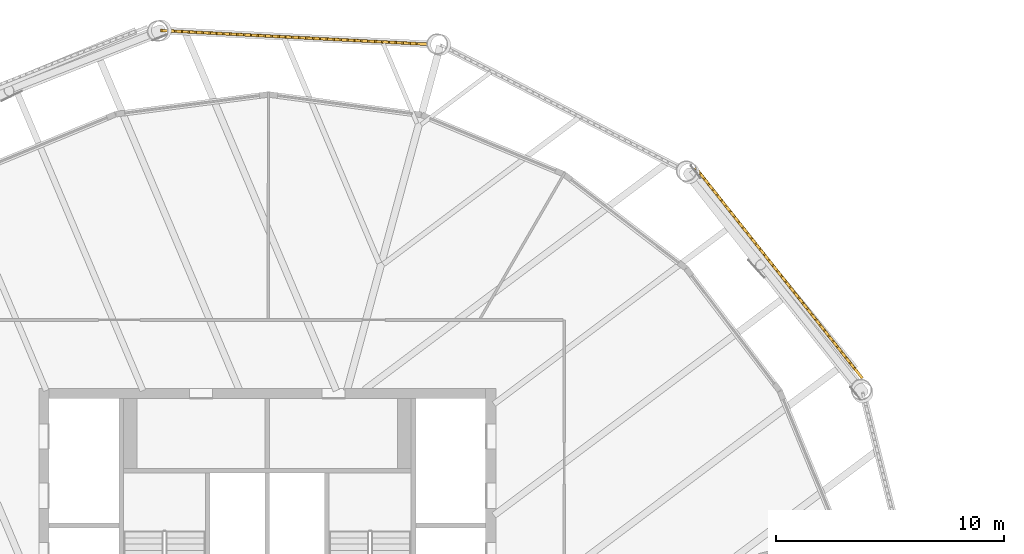
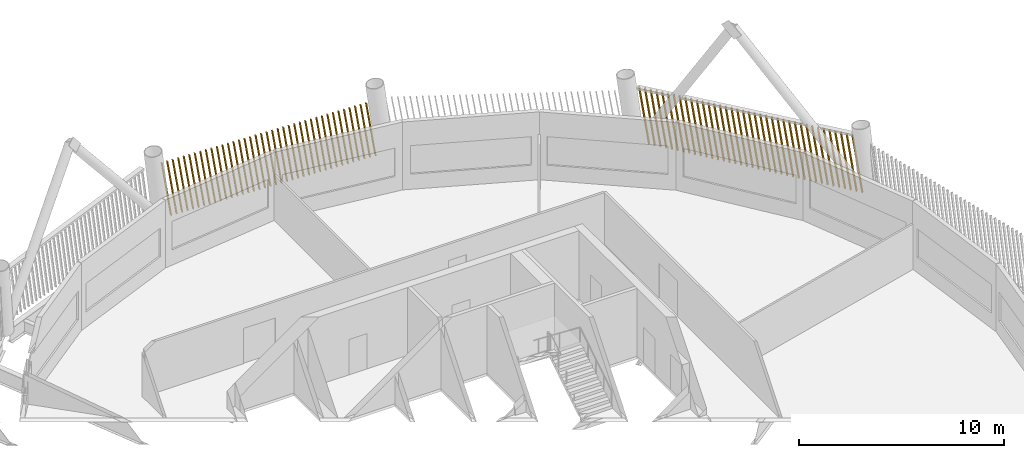
# One storey, part 34 of 35: 2 shading devices.
"""IFC4 building model written with IfcOpenShell, lengths in metres."""

from ifc_helpers import new_model, si_unit, direction, frame, frame_2d, origin, place, context, subcontext, project, spatial, rectangle, composite_profile, extrude, material, type_object, element, save


model = new_model("IFC4")

# Units and contexts
model_context = context("Model", 3, precision=1e-05, world=origin(), true_north=direction((0.0, 1.0)))
body_context = subcontext(model_context, "Body", "Model", "MODEL_VIEW")
ifc_project = project(units=[si_unit("LENGTHUNIT", "METRE"), si_unit("AREAUNIT", "SQUARE_METRE"), si_unit("VOLUMEUNIT", "CUBIC_METRE"), si_unit("PLANEANGLEUNIT", "RADIAN"), si_unit("MASSUNIT", "GRAM", prefix="KILO")], contexts=[model_context])

# Site, building, storey
site_placement = place(None, origin())
site = spatial("IfcSite", under=ifc_project, at=site_placement, CompositionType="ELEMENT")
building_placement = place(site_placement, origin())
building = spatial("IfcBuilding", under=site, at=building_placement, Name="Tarsis Ring Headquarters", CompositionType="ELEMENT")
storey_placement = place(building_placement, frame((0.0, 0.0, 377.60009765625)))
storey = spatial("IfcBuildingStorey", under=building, at=storey_placement, Name="L89", CompositionType="ELEMENT", Elevation=377.60009765625)

# Shading devices
ifc_material = material(Name="Terracotta baguette", Category="masonry")
shading_device_type = type_object("IfcShadingDeviceType", Name="Terracotta baguette screen", PredefinedType="USERDEFINED", material=ifc_material)
shading_device_1_placement = place(storey_placement, frame((26.048828125, 13.447509765625, 0.0), z_axis=(0.0, 0.0, 1.0), x_axis=(-0.620683667933, 0.78406945198, 0.0)))
element("IfcShadingDevice", 1, at=shading_device_1_placement, inside=storey, type_object=shading_device_type, Name="Baguette screen L89-07", ObjectType="Terracotta baguette screen", PredefinedType="USERDEFINED", context=body_context, shape_type="SweptSolid", body=[
    extrude(composite_profile([rectangle(XDim=0.06005859375, YDim=0.1201171875, at=frame_2d((0.030029296875, 0.0))), rectangle(XDim=0.06005859375, YDim=0.1201171875, at=frame_2d((0.33251953125, 0.0))), rectangle(XDim=0.06005859375, YDim=0.1201171875, at=frame_2d((0.634765625, 0.0))), rectangle(XDim=0.06005859375, YDim=0.1201171875, at=frame_2d((0.937255859375, 0.0))), rectangle(XDim=0.06005859375, YDim=0.1201171875, at=frame_2d((1.239501953125, 0.0))), rectangle(XDim=0.06005859375, YDim=0.1201171875, at=frame_2d((1.5419921875, 0.0))), rectangle(XDim=0.06005859375, YDim=0.1201171875, at=frame_2d((1.844482421875, 0.0))), rectangle(XDim=0.06005859375, YDim=0.1201171875, at=frame_2d((2.146728515625, 0.0))), rectangle(XDim=0.06005859375, YDim=0.1201171875, at=frame_2d((2.44921875, 0.0))), rectangle(XDim=0.06005859375, YDim=0.1201171875, at=frame_2d((2.751708984375, 0.0))), rectangle(XDim=0.06005859375, YDim=0.1201171875, at=frame_2d((3.053955078125, 0.0))), rectangle(XDim=0.06005859375, YDim=0.1201171875, at=frame_2d((3.3564453125, 0.0))), rectangle(XDim=0.06005859375, YDim=0.1201171875, at=frame_2d((3.65869140625, 0.0))), rectangle(XDim=0.06005859375, YDim=0.1201171875, at=frame_2d((3.961181640625, 0.0))), rectangle(XDim=0.06005859375, YDim=0.1201171875, at=frame_2d((4.263671875, 0.0))), rectangle(XDim=0.06005859375, YDim=0.1201171875, at=frame_2d((4.56591796875, 0.0))), rectangle(XDim=0.06005859375, YDim=0.1201171875, at=frame_2d((4.868408203125, 0.0))), rectangle(XDim=0.06005859375, YDim=0.1201171875, at=frame_2d((5.1708984375, 0.0))), rectangle(XDim=0.06005859375, YDim=0.1201171875, at=frame_2d((5.47314453125, 0.0))), rectangle(XDim=0.06005859375, YDim=0.1201171875, at=frame_2d((5.775634765625, 0.0))), rectangle(XDim=0.06005859375, YDim=0.1201171875, at=frame_2d((6.077880859375, 0.0))), rectangle(XDim=0.06005859375, YDim=0.1201171875, at=frame_2d((6.38037109375, 0.0))), rectangle(XDim=0.06005859375, YDim=0.1201171875, at=frame_2d((6.682861328125, 0.0))), rectangle(XDim=0.06005859375, YDim=0.1201171875, at=frame_2d((6.985107421875, 0.0))), rectangle(XDim=0.06005859375, YDim=0.1201171875, at=frame_2d((7.28759765625, 0.0))), rectangle(XDim=0.06005859375, YDim=0.1201171875, at=frame_2d((7.590087890625, 0.0))), rectangle(XDim=0.06005859375, YDim=0.1201171875, at=frame_2d((7.892333984375, 0.0))), rectangle(XDim=0.06005859375, YDim=0.1201171875, at=frame_2d((8.19482421875, 0.0))), rectangle(XDim=0.06005859375, YDim=0.1201171875, at=frame_2d((8.4970703125, 0.0))), rectangle(XDim=0.06005859375, YDim=0.1201171875, at=frame_2d((8.799560546875, 0.0))), rectangle(XDim=0.06005859375, YDim=0.1201171875, at=frame_2d((9.10205078125, 0.0))), rectangle(XDim=0.06005859375, YDim=0.1201171875, at=frame_2d((9.404296875, 0.0))), rectangle(XDim=0.06005859375, YDim=0.1201171875, at=frame_2d((9.706787109375, 0.0))), rectangle(XDim=0.06005859375, YDim=0.1201171875, at=frame_2d((10.00927734375, 0.0))), rectangle(XDim=0.06005859375, YDim=0.1201171875, at=frame_2d((10.3115234375, 0.0))), rectangle(XDim=0.06005859375, YDim=0.1201171875, at=frame_2d((10.614013671875, 0.0))), rectangle(XDim=0.06005859375, YDim=0.1201171875, at=frame_2d((10.916259765625, 0.0))), rectangle(XDim=0.06005859375, YDim=0.1201171875, at=frame_2d((11.21875, 0.0)))]), origin(), (0.157203119376, 0.001428140672, 0.987565258437), 3.32177734375),
])
shading_device_2_placement = place(storey_placement, frame((7.07763671875, 28.068603515625, 0.0), z_axis=(0.0, 0.0, 1.0), x_axis=(-0.998676071622, 0.051437873033, 0.0)))
element("IfcShadingDevice", 2, at=shading_device_2_placement, inside=storey, type_object=shading_device_type, Name="Baguette screen L89-09", ObjectType="Terracotta baguette screen", PredefinedType="USERDEFINED", context=body_context, shape_type="SweptSolid", body=[
    extrude(composite_profile([rectangle(XDim=0.06005859375, YDim=0.1201171875, at=frame_2d((0.030029296875, 0.0))), rectangle(XDim=0.06005859375, YDim=0.1201171875, at=frame_2d((0.33251953125, 0.0))), rectangle(XDim=0.06005859375, YDim=0.1201171875, at=frame_2d((0.634765625, 0.0))), rectangle(XDim=0.06005859375, YDim=0.1201171875, at=frame_2d((0.937255859375, 0.0))), rectangle(XDim=0.06005859375, YDim=0.1201171875, at=frame_2d((1.239501953125, 0.0))), rectangle(XDim=0.06005859375, YDim=0.1201171875, at=frame_2d((1.5419921875, 0.0))), rectangle(XDim=0.06005859375, YDim=0.1201171875, at=frame_2d((1.844482421875, 0.0))), rectangle(XDim=0.06005859375, YDim=0.1201171875, at=frame_2d((2.146728515625, 0.0))), rectangle(XDim=0.06005859375, YDim=0.1201171875, at=frame_2d((2.44921875, 0.0))), rectangle(XDim=0.06005859375, YDim=0.1201171875, at=frame_2d((2.751708984375, 0.0))), rectangle(XDim=0.06005859375, YDim=0.1201171875, at=frame_2d((3.053955078125, 0.0))), rectangle(XDim=0.06005859375, YDim=0.1201171875, at=frame_2d((3.3564453125, 0.0))), rectangle(XDim=0.06005859375, YDim=0.1201171875, at=frame_2d((3.65869140625, 0.0))), rectangle(XDim=0.06005859375, YDim=0.1201171875, at=frame_2d((3.961181640625, 0.0))), rectangle(XDim=0.06005859375, YDim=0.1201171875, at=frame_2d((4.263671875, 0.0))), rectangle(XDim=0.06005859375, YDim=0.1201171875, at=frame_2d((4.56591796875, 0.0))), rectangle(XDim=0.06005859375, YDim=0.1201171875, at=frame_2d((4.868408203125, 0.0))), rectangle(XDim=0.06005859375, YDim=0.1201171875, at=frame_2d((5.1708984375, 0.0))), rectangle(XDim=0.06005859375, YDim=0.1201171875, at=frame_2d((5.47314453125, 0.0))), rectangle(XDim=0.06005859375, YDim=0.1201171875, at=frame_2d((5.775634765625, 0.0))), rectangle(XDim=0.06005859375, YDim=0.1201171875, at=frame_2d((6.077880859375, 0.0))), rectangle(XDim=0.06005859375, YDim=0.1201171875, at=frame_2d((6.38037109375, 0.0))), rectangle(XDim=0.06005859375, YDim=0.1201171875, at=frame_2d((6.682861328125, 0.0))), rectangle(XDim=0.06005859375, YDim=0.1201171875, at=frame_2d((6.985107421875, 0.0))), rectangle(XDim=0.06005859375, YDim=0.1201171875, at=frame_2d((7.28759765625, 0.0))), rectangle(XDim=0.06005859375, YDim=0.1201171875, at=frame_2d((7.590087890625, 0.0))), rectangle(XDim=0.06005859375, YDim=0.1201171875, at=frame_2d((7.892333984375, 0.0))), rectangle(XDim=0.06005859375, YDim=0.1201171875, at=frame_2d((8.19482421875, 0.0))), rectangle(XDim=0.06005859375, YDim=0.1201171875, at=frame_2d((8.4970703125, 0.0))), rectangle(XDim=0.06005859375, YDim=0.1201171875, at=frame_2d((8.799560546875, 0.0))), rectangle(XDim=0.06005859375, YDim=0.1201171875, at=frame_2d((9.10205078125, 0.0))), rectangle(XDim=0.06005859375, YDim=0.1201171875, at=frame_2d((9.404296875, 0.0))), rectangle(XDim=0.06005859375, YDim=0.1201171875, at=frame_2d((9.706787109375, 0.0))), rectangle(XDim=0.06005859375, YDim=0.1201171875, at=frame_2d((10.00927734375, 0.0))), rectangle(XDim=0.06005859375, YDim=0.1201171875, at=frame_2d((10.3115234375, 0.0))), rectangle(XDim=0.06005859375, YDim=0.1201171875, at=frame_2d((10.614013671875, 0.0))), rectangle(XDim=0.06005859375, YDim=0.1201171875, at=frame_2d((10.916259765625, 0.0))), rectangle(XDim=0.06005859375, YDim=0.1201171875, at=frame_2d((11.21875, 0.0)))]), origin(), (0.155202956508, 0.001407765135, 0.987881602465), 3.32080078125),
])

save(model, "model.ifc")
